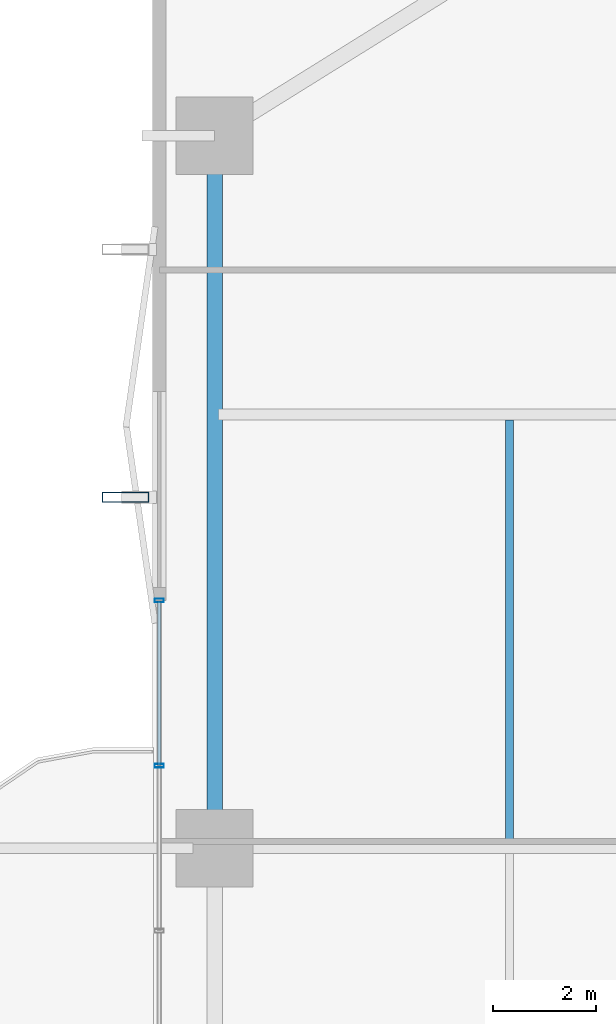
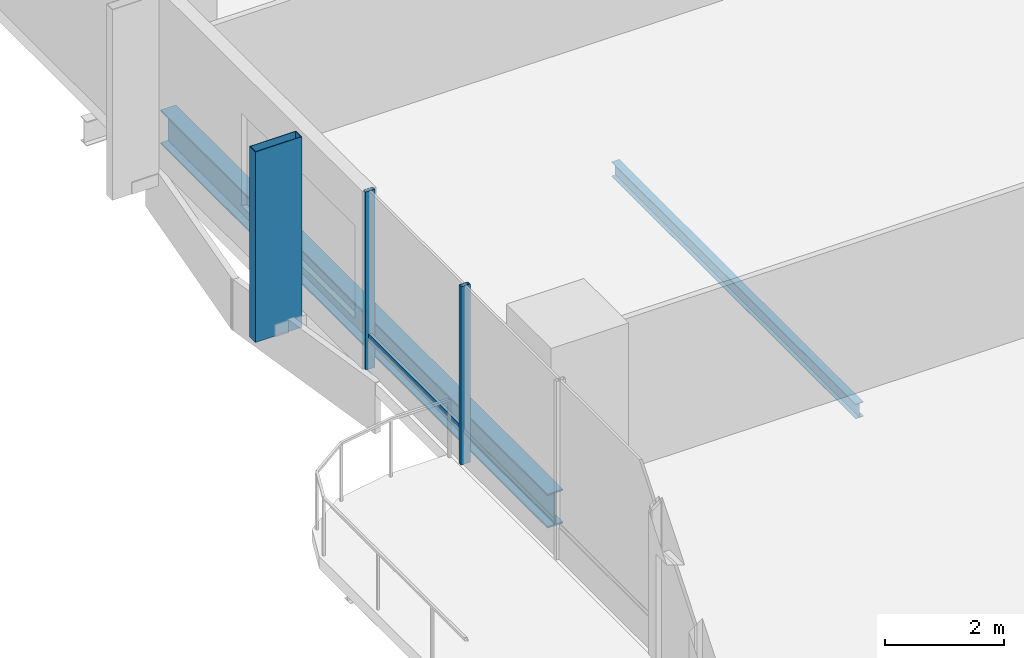
# One storey, part 9 of 24: 4 members, 2 beams, 1 element without a shape of its own.
"""IFC4 building model written with IfcOpenShell, lengths in metres."""

from ifc_helpers import new_model, si_unit, direction, frame, origin, origin_2d, place, context, subcontext, project, spatial, hollow_rectangle, i_section, extrude, material, layer, layer_set, material_profile, profile_set, type_object, element, aggregate, save


model = new_model("IFC4")

# Units and contexts
model_context = context("Model", 3, precision=1e-05, world=origin(), true_north=direction((0.0, 1.0)))
body_context = subcontext(model_context, "Body", "Model", "MODEL_VIEW")
ifc_project = project(units=[si_unit("LENGTHUNIT", "METRE"), si_unit("AREAUNIT", "SQUARE_METRE"), si_unit("VOLUMEUNIT", "CUBIC_METRE"), si_unit("PLANEANGLEUNIT", "RADIAN"), si_unit("MASSUNIT", "GRAM", prefix="KILO")], contexts=[model_context])

# Site, building, storey
site_placement = place(None, origin())
site = spatial("IfcSite", under=ifc_project, at=site_placement, CompositionType="ELEMENT")
building_placement = place(site_placement, origin())
building = spatial("IfcBuilding", under=site, at=building_placement, Name="Belovzor Exchange Tower", CompositionType="ELEMENT")
storey_placement = place(building_placement, frame((0.0, 0.0, 92.39990234375)))
storey = spatial("IfcBuildingStorey", under=building, at=storey_placement, Name="L22", CompositionType="ELEMENT", Elevation=92.39990234375)

# Beam
ifc_material_1 = material(Name="Steel S355", Category="steel")
ifc_material_profile_1 = material_profile(ifc_material_1, i_section(OverallWidth=0.14990234375, OverallDepth=0.300048828125, WebThickness=0.007080078125, FlangeThickness=0.0107421875, at=origin_2d()))
ifc_profile_set_1 = profile_set([ifc_material_profile_1], Name="Steel S355")
beam_type_1 = type_object("IfcBeamType", Name="Secondary Trim Floor Joist IPE 300", PredefinedType="BEAM", material=ifc_profile_set_1)
beam_1_placement = place(storey_placement, frame((7.81494140625, 28.905029296875, -0.39990234375), z_axis=(0.0, 1.0, 0.0), x_axis=(-1.0, 0.0, 0.0)))
element("IfcBeam", 1, at=beam_1_placement, inside=storey, type_object=beam_type_1, Name="FJ-300 Secondary Trim Floor Joist IPE 300", PredefinedType="BEAM", context=body_context, shape_type="SweptSolid", body=[
    extrude(i_section(OverallWidth=0.14990234375, OverallDepth=0.300048828125, WebThickness=0.007080078125, FlangeThickness=0.0107421875, at=origin_2d()), origin(), (0.0, 0.0, 1.0), 8.18994140625),
])

# Member
ifc_material_2 = material(Name="Extruded Architectural Terracotta on Steel S355 Carrier", Category="masonry")
ifc_material_profile_2 = material_profile(ifc_material_2, hollow_rectangle(XDim=0.199951171875, YDim=0.89990234375, WallThickness=0.011962890625, at=origin_2d()))
ifc_profile_set_2 = profile_set([ifc_material_profile_2], Name="Extruded Architectural Terracotta on Steel S355 Carrier")
member_type_1 = type_object("IfcMemberType", Name="Sweeping Terracotta Baguette Fin Assembly 1250", PredefinedType="USERDEFINED", material=ifc_profile_set_2)
member_1_placement = place(storey_placement, frame((0.375, 35.60009765625, -0.25), z_axis=(0.0, 0.0, 1.0), x_axis=(0.0, 1.0, 0.0)))
element("IfcMember", 2, at=member_1_placement, inside=storey, type_object=member_type_1, Name="FIN-TC125 Terracotta Facade Fin L22 W3", ObjectType="FIN", PredefinedType="USERDEFINED", context=body_context, shape_type="SweptSolid", body=[
    extrude(hollow_rectangle(XDim=0.199951171875, YDim=0.89990234375, WallThickness=0.011962890625, at=origin_2d()), origin(), (0.0, 0.0, 1.0), 3.900146484375),
])

# Curtain wall, members
ifc_material_3 = material(Name="Anodised Aluminium Framing", Category="aluminium")
ifc_layer = layer(ifc_material_3, 0.179931640625)
ifc_layer_set = layer_set([ifc_layer], Name="Anodised Aluminium Framing")
curtain_wall_type = type_object("IfcCurtainWallType", Name="Recessed Loggia Low-Iron Triple-Glazed Curtain Wall", PredefinedType="NOTDEFINED", material=ifc_layer_set)
curtain_wall_placement = place(storey_placement, origin())
curtain_wall = element("IfcCurtainWall", 3, at=curtain_wall_placement, inside=storey, type_object=curtain_wall_type, Name="CW3 Recessed Loggia Low-Iron Triple-Glazed Curtain Wall L22", PredefinedType="NOTDEFINED")
ifc_material_4 = material(Name="Steel S355", Category="steel")
ifc_material_profile_3 = material_profile(ifc_material_4, hollow_rectangle(XDim=0.074951171875, YDim=0.179931640625, WallThickness=0.0048828125, at=origin_2d()))
ifc_profile_set_3 = profile_set([ifc_material_profile_3], Name="Steel S355")
member_type_2 = type_object("IfcMemberType", Name="Thermally Broken Curtain Wall Mullion 180x75", PredefinedType="MULLION", material=ifc_profile_set_3)
member_2_placement = place(storey_placement, frame((1.030029296875, 30.39990234375, 0.0), z_axis=(0.0, 0.0, 1.0), x_axis=(0.0, 1.0, 0.0)))
member_2 = element("IfcMember", 4, at=member_2_placement, type_object=member_type_2, Name="CW-M180 Curtain Wall Mullion 3", PredefinedType="MULLION", context=body_context, shape_type="SweptSolid", body=[
    extrude(hollow_rectangle(XDim=0.074951171875, YDim=0.179931640625, WallThickness=0.0048828125, at=origin_2d()), origin(), (0.0, 0.0, 1.0), 3.650146484375),
])
member_3_placement = place(storey_placement, frame((1.030029296875, 33.60009765625, 0.0), z_axis=(0.0, 0.0, 1.0), x_axis=(0.0, 1.0, 0.0)))
member_3 = element("IfcMember", 5, at=member_3_placement, type_object=member_type_2, Name="CW-M180 Curtain Wall Mullion 4", PredefinedType="MULLION", context=body_context, shape_type="SweptSolid", body=[
    extrude(hollow_rectangle(XDim=0.074951171875, YDim=0.179931640625, WallThickness=0.0048828125, at=origin_2d()), origin(), (0.0, 0.0, 1.0), 3.650146484375),
])
ifc_material_5 = material(Name="Steel S355", Category="steel")
ifc_material_profile_4 = material_profile(ifc_material_5, hollow_rectangle(XDim=0.06005859375, YDim=0.14990234375, WallThickness=0.00390625, at=origin_2d()))
ifc_profile_set_4 = profile_set([ifc_material_profile_4], Name="Steel S355")
member_type_3 = type_object("IfcMemberType", Name="Thermally Broken Curtain Wall Transom 150x60", PredefinedType="USERDEFINED", material=ifc_profile_set_4)
member_4_placement = place(storey_placement, frame((1.030029296875, 30.407958984375, 0.650146484375), z_axis=(0.0, 1.0, 0.0), x_axis=(-1.0, 0.0, 0.0)))
member_4 = element("IfcMember", 6, at=member_4_placement, type_object=member_type_3, Name="CW-T150 Curtain Wall Transom 3", ObjectType="TRANSOM", PredefinedType="USERDEFINED", context=body_context, shape_type="SweptSolid", body=[
    extrude(hollow_rectangle(XDim=0.06005859375, YDim=0.14990234375, WallThickness=0.00390625, at=origin_2d()), origin(), (0.0, 0.0, 1.0), 3.18408203125),
])
aggregate(curtain_wall, [member_2, member_3, member_4])

# Beam
ifc_material_6 = material(Name="Steel S355", Category="steel")
ifc_material_profile_5 = material_profile(ifc_material_6, i_section(OverallWidth=0.300048828125, OverallDepth=0.699951171875, WebThickness=0.01708984375, FlangeThickness=0.031982421875, at=origin_2d()))
ifc_profile_set_5 = profile_set([ifc_material_profile_5], Name="Steel S355")
beam_type_2 = type_object("IfcBeamType", Name="Zone 1 Primary Perimeter Girder HEB 700", PredefinedType="BEAM", material=ifc_profile_set_5)
beam_2_placement = place(storey_placement, frame((2.10009765625, 42.18798828125, -0.599853515625), z_axis=(0.0, -1.0, 0.0), x_axis=(1.0, 0.0, 0.0)))
element("IfcBeam", 7, at=beam_2_placement, inside=storey, type_object=beam_type_2, Name="FG-Z1 Zone 1 Primary Perimeter Girder HEB 700", PredefinedType="BEAM", context=body_context, shape_type="SweptSolid", body=[
    extrude(i_section(OverallWidth=0.300048828125, OverallDepth=0.699951171875, WebThickness=0.01708984375, FlangeThickness=0.031982421875, at=origin_2d()), origin(), (0.0, 0.0, 1.0), 12.97509765625),
])

save(model, "model.ifc")
